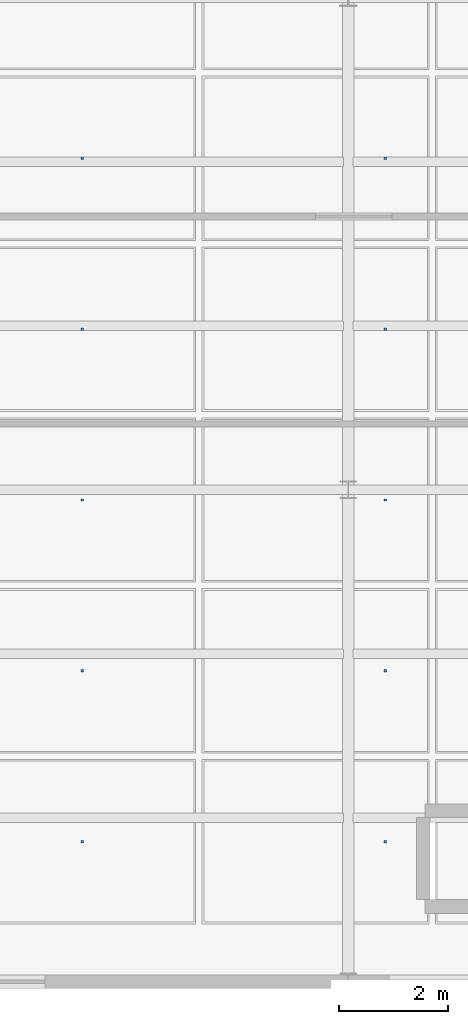
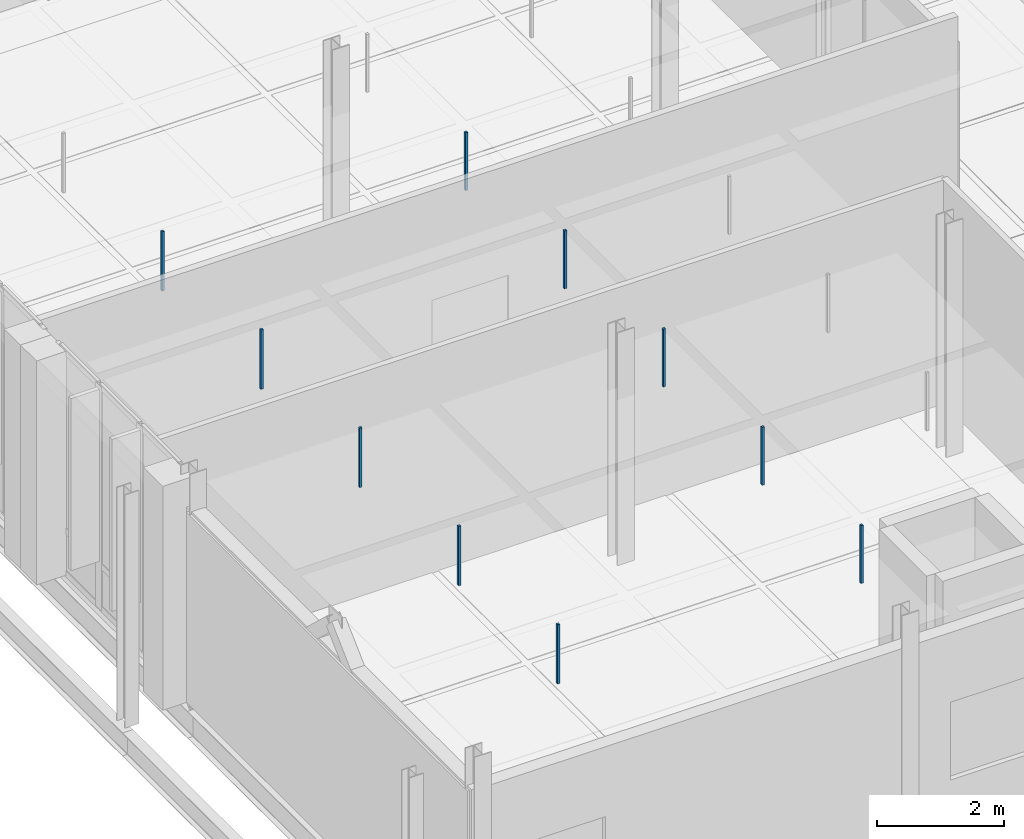
# One storey, part 90 of 130: 10 discrete accessories.
"""IFC4 building model written with IfcOpenShell, lengths in metres."""

from ifc_helpers import new_model, si_unit, direction, frame, origin, origin_2d, place, context, subcontext, project, spatial, rectangle, extrude, material, type_object, element, save


model = new_model("IFC4")

# Units and contexts
model_context = context("Model", 3, precision=1e-05, world=origin(), true_north=direction((0.0, 1.0)))
body_context = subcontext(model_context, "Body", "Model", "MODEL_VIEW")
ifc_project = project(units=[si_unit("LENGTHUNIT", "METRE"), si_unit("AREAUNIT", "SQUARE_METRE"), si_unit("VOLUMEUNIT", "CUBIC_METRE"), si_unit("PLANEANGLEUNIT", "RADIAN"), si_unit("MASSUNIT", "GRAM", prefix="KILO"), si_unit("THERMODYNAMICTEMPERATUREUNIT", "KELVIN"), si_unit("POWERUNIT", "WATT")], contexts=[model_context])

# Site, building, storey
site_placement = place(None, origin())
site = spatial("IfcSite", under=ifc_project, at=site_placement, CompositionType="ELEMENT")
building_placement = place(site_placement, origin())
building = spatial("IfcBuilding", under=site, at=building_placement, Name="Tallowbark Science Centre", CompositionType="ELEMENT")
storey_placement = place(building_placement, frame((0.0, 0.0, 5.39990234375)))
storey = spatial("IfcBuildingStorey", under=building, at=storey_placement, Name="L01", CompositionType="ELEMENT", Elevation=5.39990234375)

# Discrete accessories
ifc_material = material(Name="Galvanised Steel Grade C350L0 (350 MPa)", Category="steel")
discrete_accessory_type = type_object("IfcDiscreteAccessoryType", Name="ACC-CLG-HNG", PredefinedType="BRACKET", material=ifc_material)
for number, where, z_axis, x_axis, name in (
    (1, (58.134521484375, 74.5625, 3.205078125), (0.0, 0.0, 1.0), (1.0, 0.0, 0.0), "Ceiling Hanger Bracket L01-595"),
    (2, (58.134521484375, 77.6875, 3.205078125), (0.0, 0.0, 1.0), (1.0, 0.0, 0.0), "Ceiling Hanger Bracket L01-596"),
    (3, (58.134521484375, 80.8125, 3.205078125), (0.0, 0.0, 1.0), (1.0, 0.0, 0.0), "Ceiling Hanger Bracket L01-597"),
    (4, (58.134521484375, 83.9375, 3.205078125), (0.0, 0.0, 1.0), (1.0, 0.0, 0.0), "Ceiling Hanger Bracket L01-598"),
    (5, (58.134521484375, 87.0625, 3.205078125), (0.0, 0.0, 1.0), (1.0, 0.0, 0.0), "Ceiling Hanger Bracket L01-599"),
):
    element("IfcDiscreteAccessory", number, at=place(storey_placement, frame(where, z_axis=z_axis, x_axis=x_axis)), inside=storey, type_object=discrete_accessory_type, Name=name, PredefinedType="BRACKET", context=body_context, shape_type="SweptSolid", body=[
        extrude(rectangle(XDim=0.044921875, YDim=0.044921875, at=origin_2d()), origin(), (0.0, 0.0, 1.0), 1.14794921875),
    ])
for number, where, z_axis, x_axis, name in (
    (6, (63.67431640625, 74.5625, 3.205078125), (0.0, 0.0, 1.0), (1.0, 0.0, 0.0), "Ceiling Hanger Bracket L01-603"),
    (7, (63.67431640625, 77.6875, 3.205078125), (0.0, 0.0, 1.0), (1.0, 0.0, 0.0), "Ceiling Hanger Bracket L01-604"),
    (8, (63.67431640625, 80.8125, 3.205078125), (0.0, 0.0, 1.0), (1.0, 0.0, 0.0), "Ceiling Hanger Bracket L01-605"),
    (9, (63.67431640625, 83.9375, 3.205078125), (0.0, 0.0, 1.0), (1.0, 0.0, 0.0), "Ceiling Hanger Bracket L01-606"),
    (10, (63.67431640625, 87.0625, 3.205078125), (0.0, 0.0, 1.0), (1.0, 0.0, 0.0), "Ceiling Hanger Bracket L01-607"),
):
    element("IfcDiscreteAccessory", number, at=place(storey_placement, frame(where, z_axis=z_axis, x_axis=x_axis)), inside=storey, type_object=discrete_accessory_type, Name=name, PredefinedType="BRACKET", context=body_context, shape_type="SweptSolid", body=[
        extrude(rectangle(XDim=0.044921875, YDim=0.044921875, at=origin_2d()), origin(), (0.0, 0.0, 1.0), 1.117919921875),
    ])

save(model, "model.ifc")
